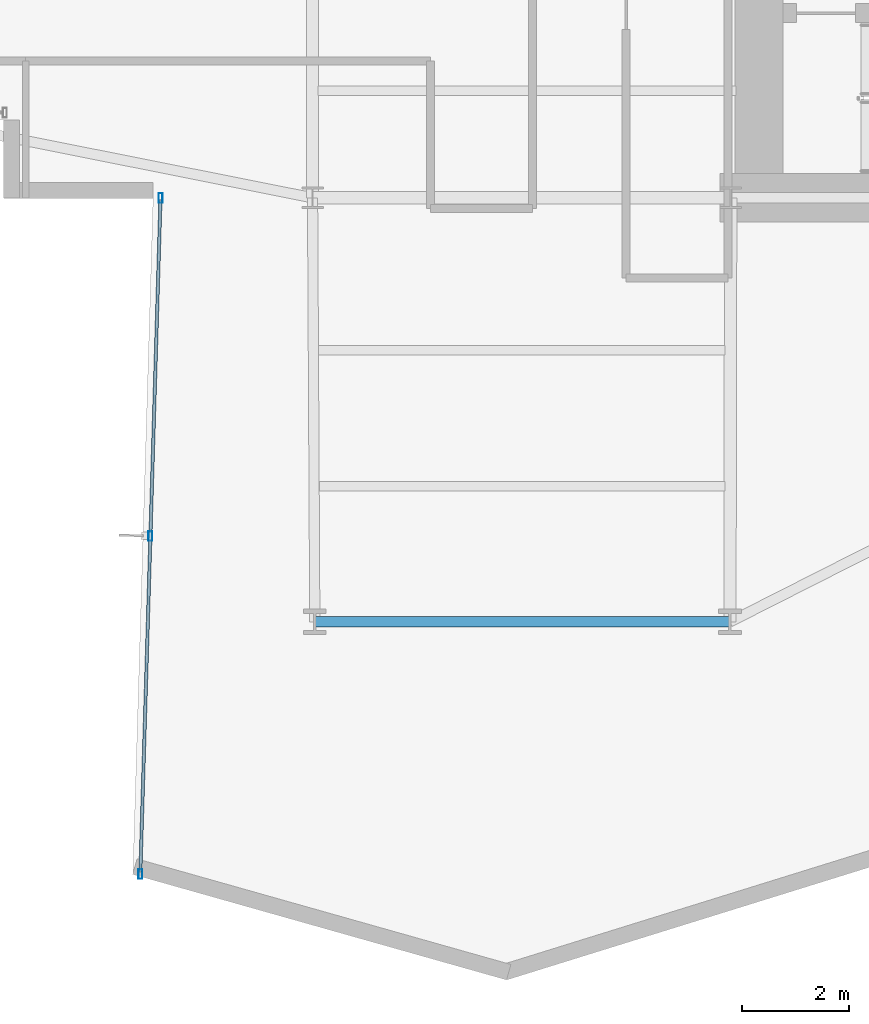
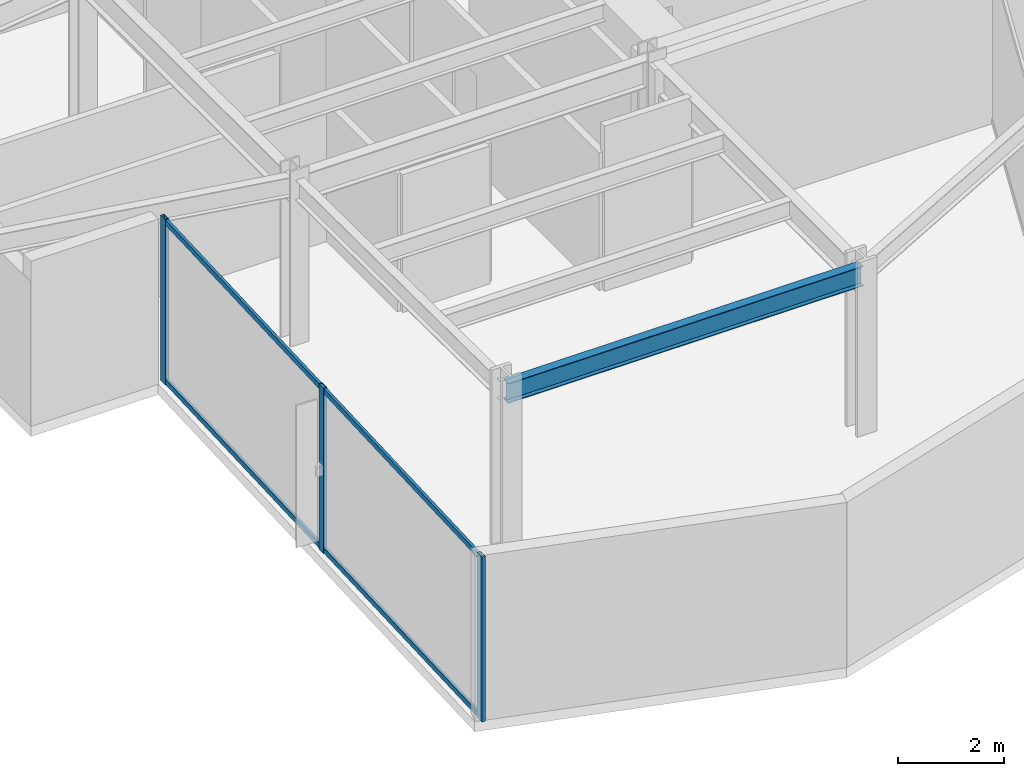
# One storey, part 4 of 29: 5 members, 1 beam, 1 element without a shape of its own.
"""IFC4 building model written with IfcOpenShell, lengths in metres."""

from ifc_helpers import new_model, si_unit, direction, frame, origin, origin_2d, place, context, subcontext, project, spatial, hollow_rectangle, i_section, extrude, material, layer, layer_set, material_profile, profile_set, type_object, element, aggregate, save


model = new_model("IFC4")

# Units and contexts
model_context = context("Model", 3, precision=1e-05, world=origin(), true_north=direction((0.0, 1.0)))
body_context = subcontext(model_context, "Body", "Model", "MODEL_VIEW")
ifc_project = project(units=[si_unit("LENGTHUNIT", "METRE"), si_unit("AREAUNIT", "SQUARE_METRE"), si_unit("VOLUMEUNIT", "CUBIC_METRE"), si_unit("PLANEANGLEUNIT", "RADIAN"), si_unit("MASSUNIT", "GRAM", prefix="KILO")], contexts=[model_context])

# Site, building, storey
site_placement = place(None, origin())
site = spatial("IfcSite", under=ifc_project, at=site_placement, CompositionType="ELEMENT")
building_placement = place(site_placement, origin())
building = spatial("IfcBuilding", under=site, at=building_placement, Name="Veymaron Broadcast Tower", CompositionType="ELEMENT")
storey_placement = place(building_placement, frame((0.0, 0.0, 41.85009765625)))
storey = spatial("IfcBuildingStorey", under=building, at=storey_placement, Name="L08", CompositionType="ELEMENT", Elevation=41.85009765625)

# Beam
ifc_material_1 = material(Name="Structural steel ASTM A992 Gr 50", Category="steel")
ifc_material_profile_1 = material_profile(ifc_material_1, i_section(OverallWidth=0.19091796875, OverallDepth=0.4599609375, WebThickness=0.010009765625, FlangeThickness=0.01611328125, at=origin_2d()), Name="W460X82")
ifc_profile_set_1 = profile_set([ifc_material_profile_1], Name="Structural steel ASTM A992 Gr 50")
beam_type = type_object("IfcBeamType", Name="BM-SP1", PredefinedType="SPANDREL", material=ifc_profile_set_1)
beam_placement = place(storey_placement, frame((31.241943359375, 8.090087890625, 3.579833984375), z_axis=(1.0, 0.0, 0.0), x_axis=(0.0, 1.0, 0.0)))
element("IfcBeam", 1, at=beam_placement, inside=storey, type_object=beam_type, Name="L08 primary structural floor girder", PredefinedType="SPANDREL", context=body_context, shape_type="SweptSolid", body=[
    extrude(i_section(OverallWidth=0.19091796875, OverallDepth=0.4599609375, WebThickness=0.010009765625, FlangeThickness=0.01611328125, at=origin_2d()), origin(), (0.0, 0.0, 1.0), 7.7431640625),
])

# Curtain wall, members
ifc_material_2 = material(Name="Anodised aluminium AA 6063-T6 and laminated low-E dark glass", Category="aluminium")
ifc_layer = layer(ifc_material_2, 0.179931640625)
ifc_layer_set = layer_set([ifc_layer], Name="Anodised aluminium AA 6063-T6 and laminated low-E dark glass")
curtain_wall_type = type_object("IfcCurtainWallType", Name="CW-SYS-02", PredefinedType="NOTDEFINED", material=ifc_layer_set)
curtain_wall_placement = place(storey_placement, origin())
curtain_wall = element("IfcCurtainWall", 2, at=curtain_wall_placement, inside=storey, type_object=curtain_wall_type, Name="L08 dark-glass curtain wall CW-L08-E17-1", PredefinedType="NOTDEFINED")
ifc_material_3 = material(Name="Anodised aluminium AA 6063-T6", Category="aluminium")
ifc_material_profile_2 = material_profile(ifc_material_3, hollow_rectangle(XDim=0.074951171875, YDim=0.179931640625, WallThickness=0.0048828125, at=origin_2d()), Name="AL180X75X5")
ifc_profile_set_2 = profile_set([ifc_material_profile_2], Name="Anodised aluminium AA 6063-T6")
member_type_1 = type_object("IfcMemberType", Name="CW-MUL-02", PredefinedType="MULLION", material=ifc_profile_set_2)
member_1_placement = place(storey_placement, frame((28.364013671875, 15.995849609375, 0.0), z_axis=(0.0, 0.0, 1.0), x_axis=(1.0, 0.0, 0.0)))
member_1 = element("IfcMember", 3, at=member_1_placement, type_object=member_type_1, Name="CW-L08-E17-1 mullion 0", PredefinedType="MULLION", context=body_context, shape_type="SweptSolid", body=[
    extrude(hollow_rectangle(XDim=0.074951171875, YDim=0.179931640625, WallThickness=0.0048828125, at=origin_2d()), origin(), (0.0, 0.0, 1.0), 3.809814453125),
])
member_2_placement = place(storey_placement, frame((28.175537109375, 9.690185546875, 0.0), z_axis=(0.0, 0.0, 1.0), x_axis=(1.0, 0.0, 0.0)))
member_2 = element("IfcMember", 4, at=member_2_placement, type_object=member_type_1, Name="CW-L08-E17-1 mullion 1", PredefinedType="MULLION", context=body_context, shape_type="SweptSolid", body=[
    extrude(hollow_rectangle(XDim=0.074951171875, YDim=0.179931640625, WallThickness=0.0048828125, at=origin_2d()), origin(), (0.0, 0.0, 1.0), 3.809814453125),
])
member_3_placement = place(storey_placement, frame((27.9873046875, 3.384765625, 0.0), z_axis=(0.0, 0.0, 1.0), x_axis=(1.0, 0.0, 0.0)))
member_3 = element("IfcMember", 5, at=member_3_placement, type_object=member_type_1, Name="CW-L08-E17-1 mullion 2", PredefinedType="MULLION", context=body_context, shape_type="SweptSolid", body=[
    extrude(hollow_rectangle(XDim=0.074951171875, YDim=0.179931640625, WallThickness=0.0048828125, at=origin_2d()), origin(), (0.0, 0.0, 1.0), 3.809814453125),
])
ifc_material_profile_3 = material_profile(ifc_material_3, hollow_rectangle(XDim=0.06005859375, YDim=0.1201171875, WallThickness=0.00390625, at=origin_2d()), Name="AL120X60X4")
ifc_profile_set_3 = profile_set([ifc_material_profile_3], Name="Anodised aluminium AA 6063-T6")
member_type_2 = type_object("IfcMemberType", Name="CW-TRN-02", PredefinedType="USERDEFINED", material=ifc_profile_set_3)
member_4_placement = place(storey_placement, frame((28.362548828125, 15.94580078125, 0.06982421875), z_axis=(-0.029862760986, -0.999554008299, 0.0), x_axis=(0.999554008299, -0.029862760986, 0.0)))
member_4 = element("IfcMember", 6, at=member_4_placement, type_object=member_type_2, Name="CW-L08-E17-1 transom B", ObjectType="TRANSOM", PredefinedType="USERDEFINED", context=body_context, shape_type="SweptSolid", body=[
    extrude(hollow_rectangle(XDim=0.06005859375, YDim=0.1201171875, WallThickness=0.00390625, at=origin_2d()), origin(), (0.0, 0.0, 1.0), 12.5166015625),
])
member_5_placement = place(storey_placement, frame((28.362548828125, 15.94580078125, 3.739990234375), z_axis=(-0.029862760986, -0.999554008299, 0.0), x_axis=(0.999554008299, -0.029862760986, 0.0)))
member_5 = element("IfcMember", 7, at=member_5_placement, type_object=member_type_2, Name="CW-L08-E17-1 transom T", ObjectType="TRANSOM", PredefinedType="USERDEFINED", context=body_context, shape_type="SweptSolid", body=[
    extrude(hollow_rectangle(XDim=0.06005859375, YDim=0.1201171875, WallThickness=0.00390625, at=origin_2d()), origin(), (0.0, 0.0, 1.0), 12.5166015625),
])
aggregate(curtain_wall, [member_1, member_2, member_3, member_4, member_5])

save(model, "model.ifc")
